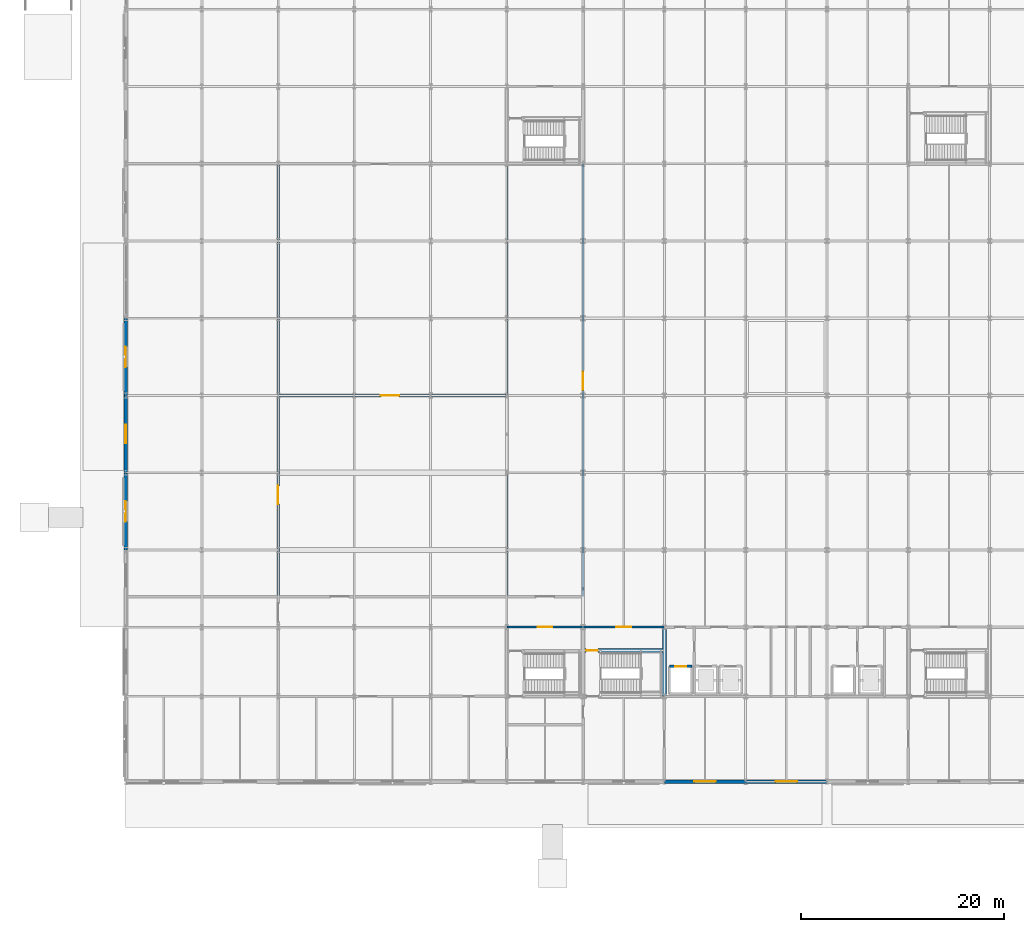
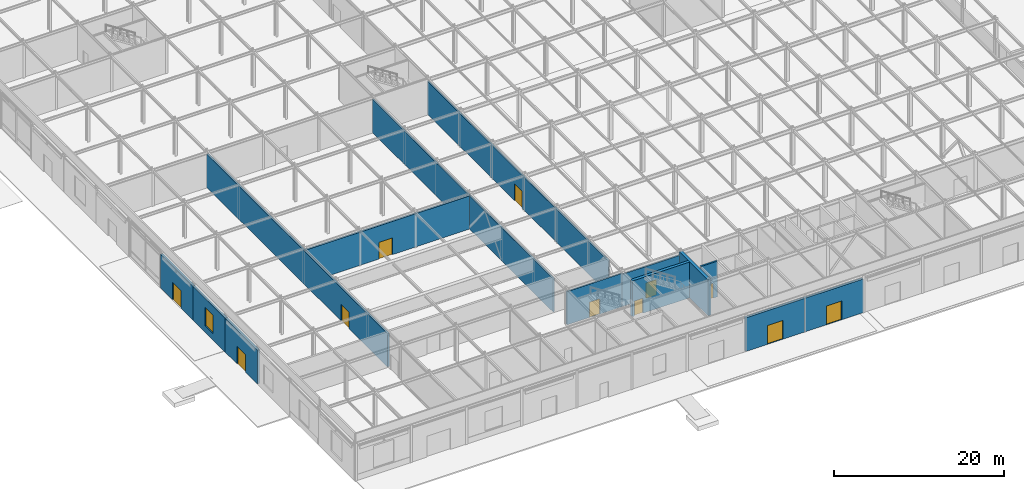
# One storey, part 61 of 89: 14 walls, 11 doors, 1 window, 12 openings.
"""IFC4 building model written with IfcOpenShell, lengths in metres."""

from ifc_helpers import new_model, si_unit, direction, frame, frame_2d, origin, place, context, subcontext, project, spatial, rectangle, extrude, material, layer, layer_set, type_object, element, fill, save


model = new_model("IFC4")

# Units and contexts
model_context = context("Model", 3, precision=1e-05, world=origin(), true_north=direction((0.0, 1.0)))
body_context = subcontext(model_context, "Body", "Model", "MODEL_VIEW")
ifc_project = project(units=[si_unit("LENGTHUNIT", "METRE"), si_unit("AREAUNIT", "SQUARE_METRE"), si_unit("VOLUMEUNIT", "CUBIC_METRE"), si_unit("PLANEANGLEUNIT", "RADIAN"), si_unit("MASSUNIT", "GRAM", prefix="KILO")], contexts=[model_context])

# Site, building, storey
site_placement = place(None, origin())
site = spatial("IfcSite", under=ifc_project, at=site_placement, CompositionType="ELEMENT")
building_placement = place(site_placement, origin())
building = spatial("IfcBuilding", under=site, at=building_placement, Name="Shalkamar Park Central Library", CompositionType="ELEMENT")
storey_placement = place(building_placement, origin())
storey = spatial("IfcBuildingStorey", under=building, at=storey_placement, Name="L01", CompositionType="ELEMENT", Elevation=0.0)

# Wall, opening, door
ifc_material_1 = material(Name="Double-stud acoustic masonry wall", Category="masonry")
ifc_layer_1 = layer(ifc_material_1, 0.260009765625)
ifc_layer_set_1 = layer_set([ifc_layer_1], Name="AuditoriumAcousticWall_260")
wall_type_1 = type_object("IfcWallType", Name="Auditorium Acoustic Wall 260", PredefinedType="PARTITIONING", material=ifc_layer_set_1)
wall_1_placement = place(storey_placement, frame((135.0, 258.199951171875, 0.0), z_axis=(0.0, 0.0, 1.0), x_axis=(0.0, 1.0, 0.0)))
wall_1 = element("IfcWall", 1, at=wall_1_placement, inside=storey, type_object=wall_type_1, Name="Interior Partition WL-INT-L01-040", PredefinedType="PARTITIONING", context=body_context, shape_type="SweptSolid", body=[
    extrude(rectangle(XDim=42.60009765625, YDim=0.260009765625, at=frame_2d((21.300048828125, 0.0))), origin(), (0.0, 0.0, 1.0), 4.778076171875),
])
opening_1_placement = place(wall_1_placement, frame((9.10009765625, 0.0, 0.0)))
opening_1 = element("IfcOpeningElement", 2, at=opening_1_placement, cuts=wall_1, Name="Opening DR-L01-032", PredefinedType="OPENING", context=body_context, shape_type="SweptSolid", body=[
    extrude(rectangle(XDim=1.800048828125, YDim=2.39990234375, at=frame_2d((0.89990234375, 1.199951171875))), frame((0.0, 0.14501953125, 0.0), z_axis=(0.0, -1.0, 0.0), x_axis=(1.0, 0.0, 0.0)), (0.0, 0.0, 1.0), 0.289794921875),
])
ifc_material_2 = material(Name="Steel S355", Category="steel")
door_type_1 = type_object("IfcDoorType", Name="Acoustic Door Double 1800x2400", OperationType="DOUBLE_DOOR_SINGLE_SWING", PredefinedType="DOOR", material=ifc_material_2)
door_1_placement = place(opening_1_placement, origin())
door_1 = element("IfcDoor", 3, at=door_1_placement, inside=storey, type_object=door_type_1, Name="Auditorium West Exit Door", OperationType="DOUBLE_DOOR_SINGLE_SWING", OverallHeight=2.39990234375, OverallWidth=1.800048828125, PredefinedType="DOOR", context=body_context, shape_type="SweptSolid", body=[
    extrude(rectangle(XDim=1.800048828125, YDim=2.39990234375, at=frame_2d((0.89990234375, 1.199951171875))), frame((0.0, 0.02490234375, 0.0), z_axis=(0.0, -1.0, 0.0), x_axis=(1.0, 0.0, 0.0)), (0.0, 0.0, 1.0), 0.050048828125),
])
fill(opening_1, door_1)

wall_2_placement = place(storey_placement, frame((135.0, 278.0, 0.0), z_axis=(0.0, 0.0, 1.0), x_axis=(1.0, 0.0, 0.0)))
wall_2 = element("IfcWall", 4, at=wall_2_placement, inside=storey, type_object=wall_type_1, Name="Interior Partition WL-INT-L01-041", PredefinedType="PARTITIONING", context=body_context, shape_type="SweptSolid", body=[
    extrude(rectangle(XDim=22.5, YDim=0.260009765625, at=frame_2d((11.25, 0.0))), origin(), (0.0, 0.0, 1.0), 4.778076171875),
])
opening_2_placement = place(wall_2_placement, frame((10.10009765625, 0.0, 0.0)))
opening_2 = element("IfcOpeningElement", 5, at=opening_2_placement, cuts=wall_2, Name="Opening DR-L01-033", PredefinedType="OPENING", context=body_context, shape_type="SweptSolid", body=[
    extrude(rectangle(XDim=1.800048828125, YDim=2.39990234375, at=frame_2d((0.89990234375, 1.199951171875))), frame((0.0, 0.14501953125, 0.0), z_axis=(0.0, -1.0, 0.0), x_axis=(1.0, 0.0, 0.0)), (0.0, 0.0, 1.0), 0.289794921875),
])
door_2_placement = place(opening_2_placement, origin())
door_2 = element("IfcDoor", 6, at=door_2_placement, inside=storey, type_object=door_type_1, Name="Auditorium North Exit Door", OperationType="DOUBLE_DOOR_SINGLE_SWING", OverallHeight=2.39990234375, OverallWidth=1.800048828125, PredefinedType="DOOR", context=body_context, shape_type="SweptSolid", body=[
    extrude(rectangle(XDim=1.800048828125, YDim=2.39990234375, at=frame_2d((0.89990234375, 1.199951171875))), frame((0.0, 0.02490234375, 0.0), z_axis=(0.0, -1.0, 0.0), x_axis=(1.0, 0.0, 0.0)), (0.0, 0.0, 1.0), 0.050048828125),
])
fill(opening_2, door_2)

ifc_material_3 = material(Name="Fire-rated corridor partition wall", Category="masonry")
ifc_layer_2 = layer(ifc_material_3, 0.199951171875)
ifc_layer_set_2 = layer_set([ifc_layer_2], Name="CorridorFireWall_200")
wall_type_2 = type_object("IfcWallType", Name="Corridor Fire Wall 200", PredefinedType="PARTITIONING", material=ifc_layer_set_2)
wall_3_placement = place(storey_placement, frame((165.0, 255.199951171875, 0.0), z_axis=(0.0, 0.0, 1.0), x_axis=(1.0, 0.0, 0.0)))
wall_3 = element("IfcWall", 7, at=wall_3_placement, inside=storey, type_object=wall_type_2, Name="CORE-T1 Vestibule North Wall (L01)", PredefinedType="PARTITIONING", context=body_context, shape_type="SweptSolid", body=[
    extrude(rectangle(XDim=8.0, YDim=0.199951171875, at=frame_2d((4.0, 0.0))), origin(), (0.0, 0.0, 1.0), 4.637939453125),
])
opening_3_placement = place(wall_3_placement, frame((3.27490234375, 0.0, 0.0)))
opening_3 = element("IfcOpeningElement", 8, at=opening_3_placement, cuts=wall_3, Name="Opening DR-ST-T1-L01-VEST", PredefinedType="OPENING", context=body_context, shape_type="SweptSolid", body=[
    extrude(rectangle(XDim=1.449951171875, YDim=2.199951171875, at=frame_2d((0.72509765625, 1.10009765625))), frame((0.0, 0.11474609375, 0.0), z_axis=(0.0, -1.0, 0.0), x_axis=(1.0, 0.0, 0.0)), (0.0, 0.0, 1.0), 0.229736328125),
])
door_type_2 = type_object("IfcDoorType", Name="Stair Vestibule Door 1450x2200", OperationType="DOUBLE_DOOR_SINGLE_SWING", PredefinedType="DOOR", material=ifc_material_2)
door_3_placement = place(opening_3_placement, origin())
door_3 = element("IfcDoor", 9, at=door_3_placement, inside=storey, type_object=door_type_2, Name="Protected Stair ST-T1 Vestibule Door (L01)", OperationType="DOUBLE_DOOR_SINGLE_SWING", OverallHeight=2.199951171875, OverallWidth=1.449951171875, PredefinedType="DOOR", context=body_context, shape_type="SweptSolid", body=[
    extrude(rectangle(XDim=1.449951171875, YDim=2.199951171875, at=frame_2d((0.72509765625, 1.10009765625))), frame((0.0, 0.02490234375, 0.0), z_axis=(0.0, -1.0, 0.0), x_axis=(1.0, 0.0, 0.0)), (0.0, 0.0, 1.0), 0.050048828125),
])
fill(opening_3, door_3)

wall_4_placement = place(storey_placement, frame((157.5, 255.199951171875, 0.0), z_axis=(0.0, 0.0, 1.0), x_axis=(1.0, 0.0, 0.0)))
wall_4 = element("IfcWall", 10, at=wall_4_placement, inside=storey, type_object=wall_type_2, Name="CORE-P1 Vestibule North Wall (L01)", PredefinedType="PARTITIONING", context=body_context, shape_type="SweptSolid", body=[
    extrude(rectangle(XDim=7.5, YDim=0.199951171875, at=frame_2d((3.75, 0.0))), origin(), (0.0, 0.0, 1.0), 4.778076171875),
])
opening_4_placement = place(wall_4_placement, frame((3.02490234375, 0.0, 0.0)))
opening_4 = element("IfcOpeningElement", 11, at=opening_4_placement, cuts=wall_4, Name="Opening DR-ST-P1-L01-VEST", PredefinedType="OPENING", context=body_context, shape_type="SweptSolid", body=[
    extrude(rectangle(XDim=1.449951171875, YDim=2.199951171875, at=frame_2d((0.72509765625, 1.10009765625))), frame((0.0, 0.11474609375, 0.0), z_axis=(0.0, -1.0, 0.0), x_axis=(1.0, 0.0, 0.0)), (0.0, 0.0, 1.0), 0.229736328125),
])
door_4_placement = place(opening_4_placement, origin())
door_4 = element("IfcDoor", 12, at=door_4_placement, inside=storey, type_object=door_type_2, Name="Protected Stair ST-P1 Vestibule Door (L01)", OperationType="DOUBLE_DOOR_SINGLE_SWING", OverallHeight=2.199951171875, OverallWidth=1.449951171875, PredefinedType="DOOR", context=body_context, shape_type="SweptSolid", body=[
    extrude(rectangle(XDim=1.449951171875, YDim=2.199951171875, at=frame_2d((0.72509765625, 1.10009765625))), frame((0.0, 0.02490234375, 0.0), z_axis=(0.0, -1.0, 0.0), x_axis=(1.0, 0.0, 0.0)), (0.0, 0.0, 1.0), 0.050048828125),
])
fill(opening_4, door_4)

# Wall
wall_5_placement = place(storey_placement, frame((157.5, 258.199951171875, 0.0), z_axis=(0.0, 0.0, 1.0), x_axis=(0.0, 1.0, 0.0)))
element("IfcWall", 13, at=wall_5_placement, inside=storey, type_object=wall_type_2, Name="Interior Partition WL-INT-L01-037", PredefinedType="PARTITIONING", context=body_context, shape_type="SweptSolid", body=[
    extrude(rectangle(XDim=42.60009765625, YDim=0.199951171875, at=frame_2d((21.300048828125, 0.0))), origin(), (0.0, 0.0, 1.0), 4.778076171875),
])

# Wall, opening, door
wall_6_placement = place(storey_placement, frame((165.0, 258.199951171875, 0.0), z_axis=(0.0, 0.0, 1.0), x_axis=(0.0, 1.0, 0.0)))
wall_6 = element("IfcWall", 14, at=wall_6_placement, inside=storey, type_object=wall_type_2, Name="Interior Partition WL-INT-L01-038-S1", PredefinedType="PARTITIONING", context=body_context, shape_type="SweptSolid", body=[
    extrude(rectangle(XDim=42.60009765625, YDim=0.199951171875, at=frame_2d((21.300048828125, 0.0))), origin(), (0.0, 0.0, 1.0), 4.738037109375),
])
opening_5_placement = place(wall_6_placement, frame((20.340087890625, 0.0, 0.0)))
opening_5 = element("IfcOpeningElement", 15, at=opening_5_placement, cuts=wall_6, Name="Opening DR-L01-029", PredefinedType="OPENING", context=body_context, shape_type="SweptSolid", body=[
    extrude(rectangle(XDim=1.800048828125, YDim=2.39990234375, at=frame_2d((0.89990234375, 1.199951171875))), frame((0.0, 0.11474609375, 0.0), z_axis=(0.0, -1.0, 0.0), x_axis=(1.0, 0.0, 0.0)), (0.0, 0.0, 1.0), 0.229736328125),
])
door_type_3 = type_object("IfcDoorType", Name="Interior Door Double 1800x2400", OperationType="DOUBLE_DOOR_SINGLE_SWING", PredefinedType="DOOR", material=ifc_material_2)
door_5_placement = place(opening_5_placement, origin())
door_5 = element("IfcDoor", 16, at=door_5_placement, inside=storey, type_object=door_type_3, Name="West Foyer Portal", OperationType="DOUBLE_DOOR_SINGLE_SWING", OverallHeight=2.39990234375, OverallWidth=1.800048828125, PredefinedType="DOOR", context=body_context, shape_type="SweptSolid", body=[
    extrude(rectangle(XDim=1.800048828125, YDim=2.39990234375, at=frame_2d((0.89990234375, 1.199951171875))), frame((0.0, 0.02490234375, 0.0), z_axis=(0.0, -1.0, 0.0), x_axis=(1.0, 0.0, 0.0)), (0.0, 0.0, 1.0), 0.050048828125),
])
fill(opening_5, door_5)

ifc_material_4 = material(Name="Concrete C35/45 precast", Category="concrete")
ifc_layer_3 = layer(ifc_material_4, 0.320068359375)
ifc_layer_set_3 = layer_set([ifc_layer_3], Name="Concrete C35/45 precast")
wall_type_3 = type_object("IfcWallType", Name="Granite Plinth External Wall 320", PredefinedType="SOLIDWALL", material=ifc_layer_set_3)
wall_7_placement = place(storey_placement, frame((173.006103515625, 240.0, 0.0), z_axis=(0.0, 0.0, 1.0), x_axis=(1.0, 0.0, 0.0)))
wall_7 = element("IfcWall", 17, at=wall_7_placement, inside=storey, type_object=wall_type_3, Name="Exterior Facade Wall WL-EXT-L01-008", PredefinedType="SOLIDWALL", context=body_context, shape_type="SweptSolid", body=[
    extrude(rectangle(XDim=7.98779296875, YDim=0.320068359375, at=frame_2d((3.993896484375, 0.0))), origin(), (0.0, 0.0, 1.0), 4.837890625),
])
opening_6_placement = place(wall_7_placement, frame((2.944091796875, 0.0, 0.0)))
opening_6 = element("IfcOpeningElement", 18, at=opening_6_placement, cuts=wall_7, Name="Opening ED-L01-005", PredefinedType="OPENING", context=body_context, shape_type="SweptSolid", body=[
    extrude(rectangle(XDim=2.10009765625, YDim=2.699951171875, at=frame_2d((1.050048828125, 1.35009765625))), frame((0.0, 0.1748046875, 0.0), z_axis=(0.0, -1.0, 0.0), x_axis=(1.0, 0.0, 0.0)), (0.0, 0.0, 1.0), 0.349853515625),
])
ifc_material_5 = material(Name="Thermally broken insulated aluminium and glazed door", Category="aluminium")
door_type_4 = type_object("IfcDoorType", Name="Boulevard Entrance Door 2100x2700", OperationType="DOUBLE_DOOR_SINGLE_SWING", PredefinedType="DOOR", material=ifc_material_5)
door_6_placement = place(opening_6_placement, frame((2.10009765625, 0.0, 0.0), z_axis=(0.0, 0.0, 1.0), x_axis=(-1.0, 0.0, 0.0)))
door_6 = element("IfcDoor", 19, at=door_6_placement, inside=storey, type_object=door_type_4, Name="South Boulevard Entrance Portal 08", OperationType="DOUBLE_DOOR_SINGLE_SWING", OverallHeight=2.699951171875, OverallWidth=2.10009765625, PredefinedType="DOOR", context=body_context, shape_type="SweptSolid", body=[
    extrude(rectangle(XDim=2.10009765625, YDim=2.699951171875, at=frame_2d((1.050048828125, 1.35009765625))), frame((0.0, 0.02490234375, 0.0), z_axis=(0.0, -1.0, 0.0), x_axis=(1.0, 0.0, 0.0)), (0.0, 0.0, 1.0), 0.050048828125),
])
fill(opening_6, door_6)

wall_8_placement = place(storey_placement, frame((181.006103515625, 240.0, 0.0), z_axis=(0.0, 0.0, 1.0), x_axis=(1.0, 0.0, 0.0)))
wall_8 = element("IfcWall", 20, at=wall_8_placement, inside=storey, type_object=wall_type_3, Name="Exterior Facade Wall WL-EXT-L01-009", PredefinedType="SOLIDWALL", context=body_context, shape_type="SweptSolid", body=[
    extrude(rectangle(XDim=7.98779296875, YDim=0.320068359375, at=frame_2d((3.993896484375, 0.0))), origin(), (0.0, 0.0, 1.0), 4.837890625),
])
opening_7_placement = place(wall_8_placement, frame((2.944091796875, 0.0, 0.0)))
opening_7 = element("IfcOpeningElement", 21, at=opening_7_placement, cuts=wall_8, Name="Opening ED-L01-006", PredefinedType="OPENING", context=body_context, shape_type="SweptSolid", body=[
    extrude(rectangle(XDim=2.10009765625, YDim=2.699951171875, at=frame_2d((1.050048828125, 1.35009765625))), frame((0.0, 0.1748046875, 0.0), z_axis=(0.0, -1.0, 0.0), x_axis=(1.0, 0.0, 0.0)), (0.0, 0.0, 1.0), 0.349853515625),
])
door_7_placement = place(opening_7_placement, frame((2.10009765625, 0.0, 0.0), z_axis=(0.0, 0.0, 1.0), x_axis=(-1.0, 0.0, 0.0)))
door_7 = element("IfcDoor", 22, at=door_7_placement, inside=storey, type_object=door_type_4, Name="South Boulevard Entrance Portal 09", OperationType="DOUBLE_DOOR_SINGLE_SWING", OverallHeight=2.699951171875, OverallWidth=2.10009765625, PredefinedType="DOOR", context=body_context, shape_type="SweptSolid", body=[
    extrude(rectangle(XDim=2.10009765625, YDim=2.699951171875, at=frame_2d((1.050048828125, 1.35009765625))), frame((0.0, 0.02490234375, 0.0), z_axis=(0.0, -1.0, 0.0), x_axis=(1.0, 0.0, 0.0)), (0.0, 0.0, 1.0), 0.050048828125),
])
fill(opening_7, door_7)

wall_9_placement = place(storey_placement, frame((120.0, 262.805908203125, 0.0), z_axis=(0.0, 0.0, 1.0), x_axis=(0.0, 1.0, 0.0)))
wall_9 = element("IfcWall", 23, at=wall_9_placement, inside=storey, type_object=wall_type_3, Name="Exterior Facade Wall WL-EXT-L01-032", PredefinedType="SOLIDWALL", context=body_context, shape_type="SweptSolid", body=[
    extrude(rectangle(XDim=7.588134765625, YDim=0.320068359375, at=frame_2d((3.7939453125, 0.0))), origin(), (0.0, 0.0, 1.0), 4.8779296875),
])
opening_8_placement = place(wall_9_placement, frame((2.7939453125, 0.0, 0.0)))
opening_8 = element("IfcOpeningElement", 24, at=opening_8_placement, cuts=wall_9, Name="Opening ED-L01-024", PredefinedType="OPENING", context=body_context, shape_type="SweptSolid", body=[
    extrude(rectangle(XDim=2.0, YDim=2.550048828125, at=frame_2d((1.0, 1.27490234375))), frame((0.0, 0.1748046875, 0.0), z_axis=(0.0, -1.0, 0.0), x_axis=(1.0, 0.0, 0.0)), (0.0, 0.0, 1.0), 0.349853515625),
])
door_type_5 = type_object("IfcDoorType", Name="Plaza Exit Portal 2000x2550", OperationType="DOUBLE_DOOR_SINGLE_SWING", PredefinedType="DOOR", material=ifc_material_5)
door_8_placement = place(opening_8_placement, origin())
door_8 = element("IfcDoor", 25, at=door_8_placement, inside=storey, type_object=door_type_5, Name="West Park Lane Exit Portal D", OperationType="DOUBLE_DOOR_SINGLE_SWING", OverallHeight=2.550048828125, OverallWidth=2.0, PredefinedType="DOOR", context=body_context, shape_type="SweptSolid", body=[
    extrude(rectangle(XDim=2.0, YDim=2.550048828125, at=frame_2d((1.0, 1.27490234375))), frame((0.0, 0.02490234375, 0.0), z_axis=(0.0, -1.0, 0.0), x_axis=(1.0, 0.0, 0.0)), (0.0, 0.0, 1.0), 0.050048828125),
])
fill(opening_8, door_8)

# Wall, opening, window
wall_10_placement = place(storey_placement, frame((120.0, 270.406005859375, 0.0), z_axis=(0.0, 0.0, 1.0), x_axis=(0.0, 1.0, 0.0)))
wall_10 = element("IfcWall", 26, at=wall_10_placement, inside=storey, type_object=wall_type_3, Name="Exterior Facade Wall WL-EXT-L01-033", PredefinedType="SOLIDWALL", context=body_context, shape_type="SweptSolid", body=[
    extrude(rectangle(XDim=7.587890625, YDim=0.320068359375, at=frame_2d((3.7939453125, 0.0))), origin(), (0.0, 0.0, 1.0), 4.8779296875),
])
opening_9_placement = place(wall_10_placement, frame((2.89404296875, 0.0, 0.949951171875)))
opening_9 = element("IfcOpeningElement", 27, at=opening_9_placement, cuts=wall_10, Name="Opening WN-06", PredefinedType="OPENING", context=body_context, shape_type="SweptSolid", body=[
    extrude(rectangle(XDim=1.800048828125, YDim=2.60009765625, at=frame_2d((0.89990234375, 1.300048828125))), frame((0.0, 0.1748046875, 0.0), z_axis=(0.0, -1.0, 0.0), x_axis=(1.0, 0.0, 0.0)), (0.0, 0.0, 1.0), 0.349853515625),
])
ifc_material_6 = material(Name="Thermally broken aluminium and triple low-e glass", Category="glass")
window_type = type_object("IfcWindowType", Name="Podium Window 1800x2600", PartitioningType="DOUBLE_PANEL_VERTICAL", PredefinedType="WINDOW", material=ifc_material_6)
window_placement = place(opening_9_placement, origin())
window = element("IfcWindow", 28, at=window_placement, inside=storey, type_object=window_type, Name="Facade Window WN-L01-009", OverallHeight=2.60009765625, OverallWidth=1.800048828125, PartitioningType="DOUBLE_PANEL_VERTICAL", PredefinedType="WINDOW", context=body_context, shape_type="SweptSolid", body=[
    extrude(rectangle(XDim=1.800048828125, YDim=2.60009765625, at=frame_2d((0.89990234375, 1.300048828125))), frame((0.0, 0.030029296875, 0.0), z_axis=(0.0, -1.0, 0.0), x_axis=(1.0, 0.0, 0.0)), (0.0, 0.0, 1.0), 0.06005859375),
])
fill(opening_9, window)

# Wall, opening, door
wall_11_placement = place(storey_placement, frame((120.0, 278.006103515625, 0.0), z_axis=(0.0, 0.0, 1.0), x_axis=(0.0, 1.0, 0.0)))
wall_11 = element("IfcWall", 29, at=wall_11_placement, inside=storey, type_object=wall_type_3, Name="Exterior Facade Wall WL-EXT-L01-034", PredefinedType="SOLIDWALL", context=body_context, shape_type="SweptSolid", body=[
    extrude(rectangle(XDim=7.587890625, YDim=0.320068359375, at=frame_2d((3.7939453125, 0.0))), origin(), (0.0, 0.0, 1.0), 4.8779296875),
])
opening_10_placement = place(wall_11_placement, frame((2.7939453125, 0.0, 0.0)))
opening_10 = element("IfcOpeningElement", 30, at=opening_10_placement, cuts=wall_11, Name="Opening ED-L01-025", PredefinedType="OPENING", context=body_context, shape_type="SweptSolid", body=[
    extrude(rectangle(XDim=2.0, YDim=2.550048828125, at=frame_2d((1.0, 1.27490234375))), frame((0.0, 0.1748046875, 0.0), z_axis=(0.0, -1.0, 0.0), x_axis=(1.0, 0.0, 0.0)), (0.0, 0.0, 1.0), 0.349853515625),
])
door_9_placement = place(opening_10_placement, origin())
door_9 = element("IfcDoor", 31, at=door_9_placement, inside=storey, type_object=door_type_5, Name="West Park Lane Exit Portal F", OperationType="DOUBLE_DOOR_SINGLE_SWING", OverallHeight=2.550048828125, OverallWidth=2.0, PredefinedType="DOOR", context=body_context, shape_type="SweptSolid", body=[
    extrude(rectangle(XDim=2.0, YDim=2.550048828125, at=frame_2d((1.0, 1.27490234375))), frame((0.0, 0.02490234375, 0.0), z_axis=(0.0, -1.0, 0.0), x_axis=(1.0, 0.0, 0.0)), (0.0, 0.0, 1.0), 0.050048828125),
])
fill(opening_10, door_9)

ifc_material_7 = material(Name="Concrete C40/50", Category="concrete")
ifc_layer_4 = layer(ifc_material_7, 0.219970703125)
ifc_layer_set_4 = layer_set([ifc_layer_4], Name="Concrete C40/50")
wall_type_4 = type_object("IfcWallType", Name="Lift Hoistway Shear Wall 220", PredefinedType="SHEAR", material=ifc_layer_set_4)
wall_12_placement = place(storey_placement, frame((173.5, 251.35009765625, 0.0), z_axis=(0.0, 0.0, 1.0), x_axis=(1.0, 0.0, 0.0)))
wall_12 = element("IfcWall", 32, at=wall_12_placement, inside=storey, type_object=wall_type_4, Name="Lift FFL-01 Hoistway Front Wall (L01)", PredefinedType="SHEAR", context=body_context, shape_type="SweptSolid", body=[
    extrude(rectangle(XDim=2.199951171875, YDim=0.219970703125, at=frame_2d((1.10009765625, 0.0))), origin(), (0.0, 0.0, 1.0), 5.139892578125),
])
opening_11_placement = place(wall_12_placement, frame((0.550048828125, 0.0, 0.0)))
opening_11 = element("IfcOpeningElement", 33, at=opening_11_placement, cuts=wall_12, Name="Opening LD-FFL-01-L01", PredefinedType="OPENING", context=body_context, shape_type="SweptSolid", body=[
    extrude(rectangle(XDim=1.10009765625, YDim=2.14990234375, at=frame_2d((0.550048828125, 1.074951171875))), frame((0.0, 0.125, 0.0), z_axis=(0.0, -1.0, 0.0), x_axis=(1.0, 0.0, 0.0)), (0.0, 0.0, 1.0), 0.249755859375),
])
door_type_6 = type_object("IfcDoorType", Name="Fire Lift Landing Door 1100x2150", OperationType="DOUBLE_DOOR_SLIDING", PredefinedType="USERDEFINED", material=ifc_material_2)
door_10_placement = place(opening_11_placement, origin())
door_10 = element("IfcDoor", 34, at=door_10_placement, inside=storey, type_object=door_type_6, Name="Lift FFL-01 Sliding Landing Door (L01)", ObjectType="SLIDING LANDING DOOR", OperationType="DOUBLE_DOOR_SLIDING", OverallHeight=2.14990234375, OverallWidth=1.10009765625, PredefinedType="USERDEFINED", context=body_context, shape_type="SweptSolid", body=[
    extrude(rectangle(XDim=1.10009765625, YDim=2.14990234375, at=frame_2d((0.550048828125, 1.074951171875))), frame((0.0, 0.02490234375, 0.0), z_axis=(0.0, -1.0, 0.0), x_axis=(1.0, 0.0, 0.0)), (0.0, 0.0, 1.0), 0.050048828125),
])
fill(opening_11, door_10)

# Wall
ifc_layer_5 = layer(ifc_material_7, 0.39990234375)
ifc_layer_set_5 = layer_set([ifc_layer_5], Name="Concrete C40/50")
wall_type_5 = type_object("IfcWallType", Name="Tower Core Shear Wall 400", PredefinedType="SHEAR", material=ifc_layer_set_5)
wall_13_placement = place(storey_placement, frame((173.0, 248.39990234375, 0.0), z_axis=(0.0, 0.0, 1.0), x_axis=(0.0, 1.0, 0.0)))
element("IfcWall", 35, at=wall_13_placement, inside=storey, type_object=wall_type_5, Name="CORE-T1 East Shear Wall (L01)", PredefinedType="SHEAR", context=body_context, shape_type="SweptSolid", body=[
    extrude(rectangle(XDim=6.800048828125, YDim=0.39990234375, at=frame_2d((3.39990234375, 0.0))), origin(), (0.0, 0.0, 1.0), 5.139892578125),
])

# Wall, opening, door
wall_14_placement = place(storey_placement, frame((165.0, 252.89990234375, 0.0), z_axis=(0.0, 0.0, 1.0), x_axis=(1.0, 0.0, 0.0)))
wall_14 = element("IfcWall", 36, at=wall_14_placement, inside=storey, type_object=wall_type_5, Name="CORE-T1 Stairwell Wall (L01)", PredefinedType="SHEAR", context=body_context, shape_type="SweptSolid", body=[
    extrude(rectangle(XDim=8.0, YDim=0.39990234375, at=frame_2d((4.0, 0.0))), origin(), (0.0, 0.0, 1.0), 5.139892578125),
])
opening_12_placement = place(wall_14_placement, frame((0.300048828125, 0.0, 0.0)))
opening_12 = element("IfcOpeningElement", 37, at=opening_12_placement, cuts=wall_14, Name="Opening DR-ST-T1-L01-IN", PredefinedType="OPENING", context=body_context, shape_type="SweptSolid", body=[
    extrude(rectangle(XDim=1.14990234375, YDim=2.14990234375, at=frame_2d((0.574951171875, 1.074951171875))), frame((0.0, 0.21484375, 0.0), z_axis=(0.0, -1.0, 0.0), x_axis=(1.0, 0.0, 0.0)), (0.0, 0.0, 1.0), 0.4296875),
])
door_type_7 = type_object("IfcDoorType", Name="Stair Core Exit Door 1150x2150", OperationType="NOTDEFINED", PredefinedType="DOOR", material=ifc_material_2)
door_11_placement = place(opening_12_placement, origin())
door_11 = element("IfcDoor", 38, at=door_11_placement, inside=storey, type_object=door_type_7, Name="Protected Stair ST-T1 Exit Door (L01)", OperationType="SINGLE_SWING_LEFT", OverallHeight=2.14990234375, OverallWidth=1.14990234375, PredefinedType="DOOR", context=body_context, shape_type="SweptSolid", body=[
    extrude(rectangle(XDim=1.14990234375, YDim=2.14990234375, at=frame_2d((0.574951171875, 1.074951171875))), frame((0.0, 0.02490234375, 0.0), z_axis=(0.0, -1.0, 0.0), x_axis=(1.0, 0.0, 0.0)), (0.0, 0.0, 1.0), 0.050048828125),
])
fill(opening_12, door_11)

save(model, "model.ifc")
